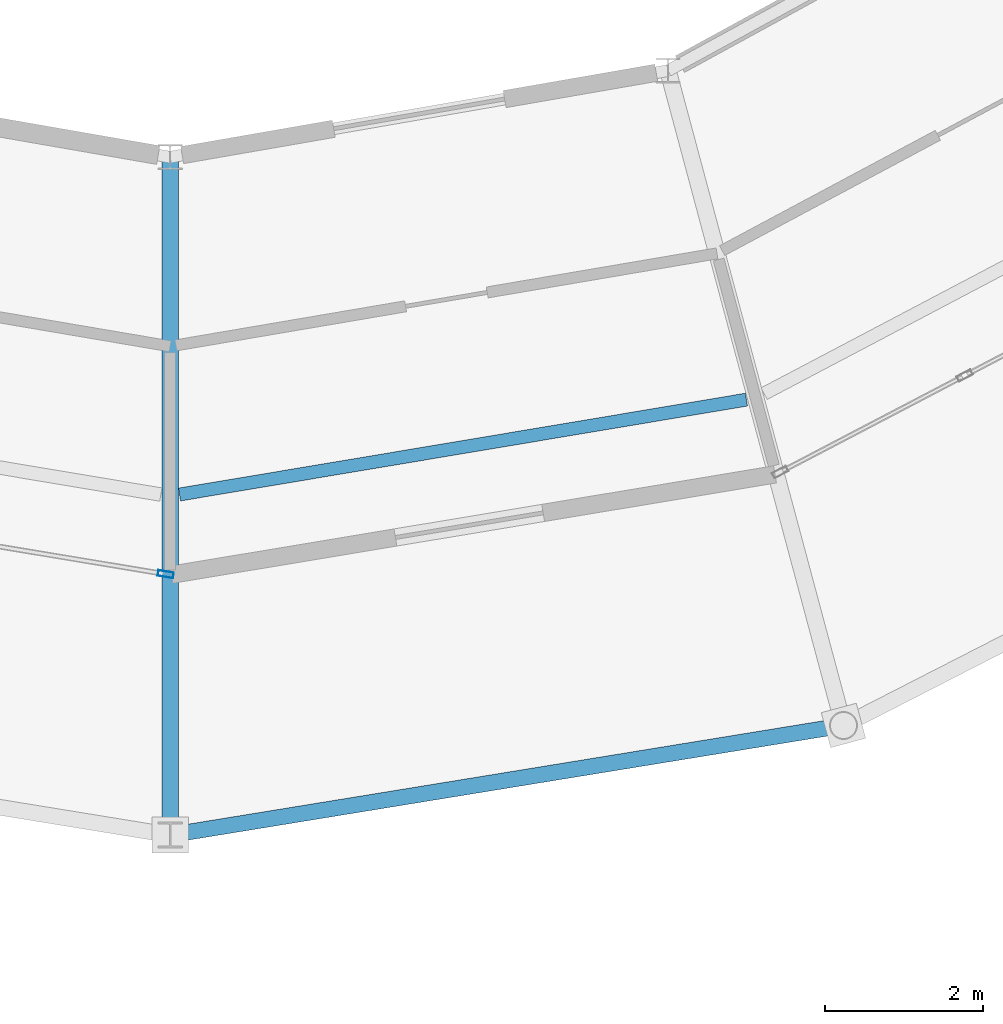
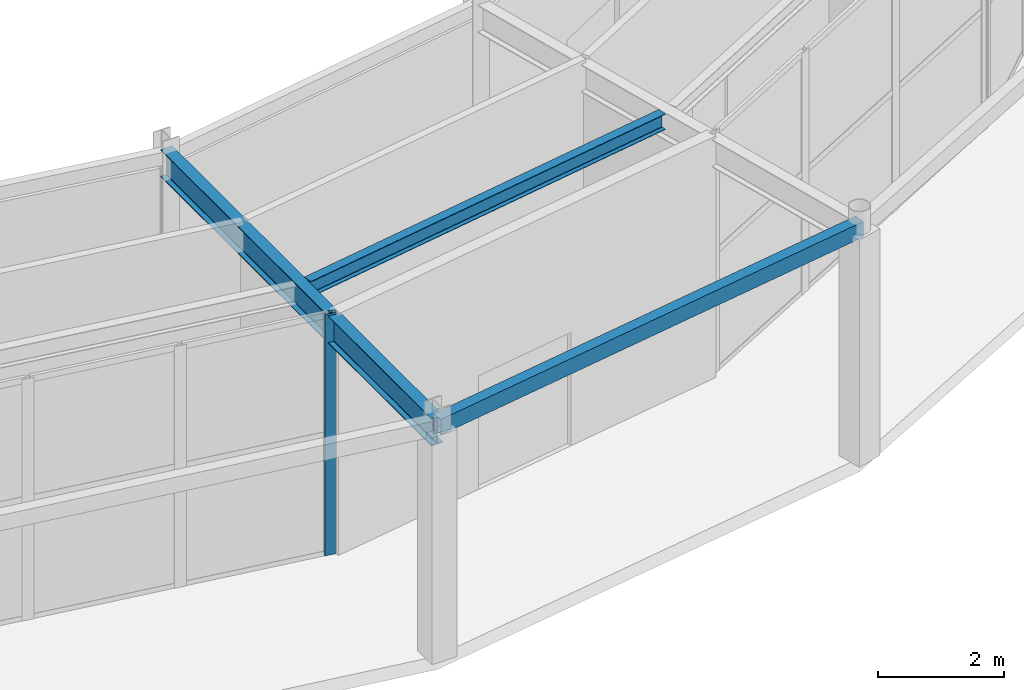
# One storey, part 50 of 144: 3 beams, 1 member, 1 element without a shape of its own.
"""IFC4 building model written with IfcOpenShell, lengths in metres."""

from ifc_helpers import new_model, si_unit, direction, frame, origin, origin_2d, place, context, subcontext, project, spatial, hollow_rectangle, i_section, extrude, material, material_profile, profile_set, type_object, element, aggregate, save


model = new_model("IFC4")

# Units and contexts
model_context = context("Model", 3, precision=1e-05, world=origin(), true_north=direction((0.0, 1.0)))
body_context = subcontext(model_context, "Body", "Model", "MODEL_VIEW")
ifc_project = project(units=[si_unit("LENGTHUNIT", "METRE"), si_unit("AREAUNIT", "SQUARE_METRE"), si_unit("VOLUMEUNIT", "CUBIC_METRE"), si_unit("PLANEANGLEUNIT", "RADIAN"), si_unit("MASSUNIT", "GRAM", prefix="KILO")], contexts=[model_context])

# Site, building, storey
site_placement = place(None, origin())
site = spatial("IfcSite", under=ifc_project, at=site_placement, CompositionType="ELEMENT")
building_placement = place(site_placement, origin())
building = spatial("IfcBuilding", under=site, at=building_placement, Name="Karori Crest Natural Sciences Institute", CompositionType="ELEMENT")
storey_placement = place(building_placement, origin())
storey = spatial("IfcBuildingStorey", under=building, at=storey_placement, Name="L00", CompositionType="ELEMENT", Elevation=0.0)

# Beams
ifc_material_1 = material(Name="Structural steel AS/NZS 3679.1 Grade 350", Category="steel")
ifc_material_profile_1 = material_profile(ifc_material_1, i_section(OverallWidth=0.208984375, OverallDepth=0.532958984375, WebThickness=0.01025390625, FlangeThickness=0.015625, FilletRadius=0.013916015625, at=origin_2d()), Name="530UB92.4")
ifc_profile_set_1 = profile_set([ifc_material_profile_1], Name="Structural steel AS/NZS 3679.1 Grade 350")
beam_type_1 = type_object("IfcBeamType", Name="BT-05", PredefinedType="BEAM", material=ifc_profile_set_1)
beam_1_placement = place(storey_placement, frame((66.39990234375, 17.699951171875, 4.37353515625), z_axis=(0.0, -1.0, 0.0), x_axis=(1.0, 0.0, 0.0)))
element("IfcBeam", 1, at=beam_1_placement, inside=storey, type_object=beam_type_1, Name="Beam B-0160", PredefinedType="BEAM", context=body_context, shape_type="SweptSolid", body=[
    extrude(i_section(OverallWidth=0.208984375, OverallDepth=0.532958984375, WebThickness=0.01025390625, FlangeThickness=0.015625, FilletRadius=0.013916015625, at=origin_2d()), origin(), (0.0, 0.0, 1.0), 8.599853515625),
])
ifc_material_profile_2 = material_profile(ifc_material_1, i_section(OverallWidth=0.1650390625, OverallDepth=0.303955078125, WebThickness=0.006103515625, FlangeThickness=0.01025390625, FilletRadius=0.010986328125, at=origin_2d()), Name="310UB40.4")
ifc_profile_set_2 = profile_set([ifc_material_profile_2], Name="Structural steel AS/NZS 3679.1 Grade 350")
beam_type_2 = type_object("IfcBeamType", Name="BT-10", PredefinedType="BEAM", material=ifc_profile_set_2)
beam_2_placement = place(storey_placement, frame((66.518310546875, 13.419921875, 4.488037109375), z_axis=(0.986276028212, 0.165104803609, 0.0), x_axis=(-0.165104803609, 0.986276028212, 0.0)))
element("IfcBeam", 2, at=beam_2_placement, inside=storey, type_object=beam_type_2, Name="Beam B-0161", PredefinedType="BEAM", context=body_context, shape_type="SweptSolid", body=[
    extrude(i_section(OverallWidth=0.1650390625, OverallDepth=0.303955078125, WebThickness=0.006103515625, FlangeThickness=0.01025390625, FilletRadius=0.010986328125, at=origin_2d()), origin(), (0.0, 0.0, 1.0), 7.29150390625),
])
ifc_material_2 = material(Name="Hollow structural steel AS/NZS 1163 Grade C350", Category="steel")
ifc_material_profile_3 = material_profile(ifc_material_2, hollow_rectangle(XDim=0.199951171875, YDim=0.300048828125, WallThickness=0.010009765625, at=origin_2d()), Name="RHS300x200x10")
ifc_profile_set_3 = profile_set([ifc_material_profile_3], Name="Hollow structural steel AS/NZS 1163 Grade C350")
beam_type_3 = type_object("IfcBeamType", Name="BT-15", PredefinedType="SPANDREL", material=ifc_profile_set_3)
beam_3_placement = place(storey_placement, frame((66.39990234375, 9.10009765625, 4.489990234375), z_axis=(0.987012055933, 0.160646199591, 0.0), x_axis=(-0.160646199591, 0.987012055933, 0.0)))
element("IfcBeam", 3, at=beam_3_placement, inside=storey, type_object=beam_type_3, Name="Beam B-0158", PredefinedType="SPANDREL", context=body_context, shape_type="SweptSolid", body=[
    extrude(hollow_rectangle(XDim=0.199951171875, YDim=0.300048828125, WallThickness=0.010009765625, at=origin_2d()), origin(), (0.0, 0.0, 1.0), 8.6533203125),
])

# Curtain wall, member
ifc_material_3 = material(Name="Anodised architectural aluminium 6063-T6", Category="aluminium")
curtain_wall_type = type_object("IfcCurtainWallType", Name="CWT-08", PredefinedType="NOTDEFINED", material=ifc_material_3)
curtain_wall_placement = place(storey_placement, origin())
curtain_wall = element("IfcCurtainWall", 4, at=curtain_wall_placement, inside=storey, type_object=curtain_wall_type, Name="Curtain wall CW-0023", PredefinedType="NOTDEFINED")
ifc_material_profile_4 = material_profile(ifc_material_3, hollow_rectangle(XDim=0.074951171875, YDim=0.199951171875, WallThickness=0.0048828125, at=origin_2d()), Name="CWM200x75x5")
ifc_profile_set_4 = profile_set([ifc_material_profile_4], Name="Anodised architectural aluminium 6063-T6")
member_type = type_object("IfcMemberType", Name="CWM-02", PredefinedType="MULLION", material=ifc_profile_set_4)
member_placement = place(storey_placement, frame((66.34326171875, 12.409423828125, 0.0), z_axis=(0.0, 0.0, 1.0), x_axis=(-0.1639743451, -0.986464603597, 0.0)))
member = element("IfcMember", 5, at=member_placement, type_object=member_type, Name="CW-0023 mullion 1", PredefinedType="MULLION", context=body_context, shape_type="SweptSolid", body=[
    extrude(hollow_rectangle(XDim=0.074951171875, YDim=0.199951171875, WallThickness=0.0048828125, at=origin_2d()), origin(), (0.0, 0.0, 1.0), 4.679931640625),
])
aggregate(curtain_wall, [member])

save(model, "model.ifc")
